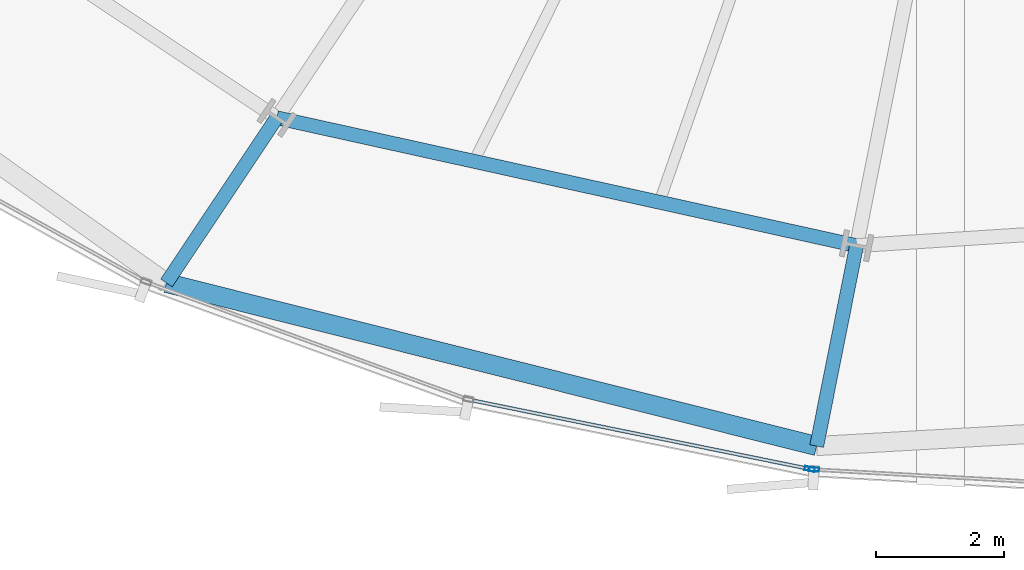
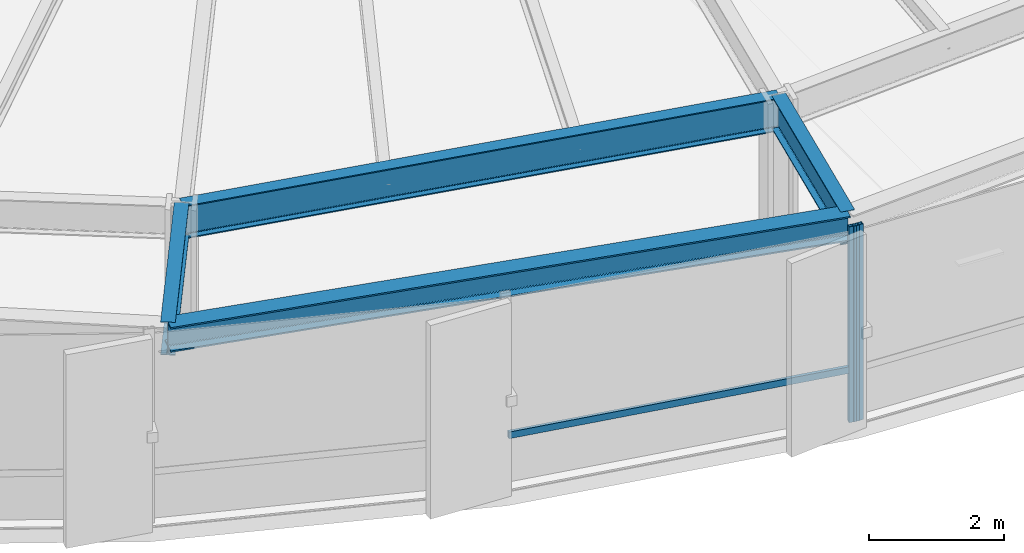
# One storey, part 4 of 39: 4 beams, 3 members, 2 elements without a shape of their own.
"""IFC4 building model written with IfcOpenShell, lengths in metres."""

from ifc_helpers import new_model, si_unit, direction, frame, origin, origin_2d, place, context, subcontext, project, spatial, hollow_rectangle, i_section, extrude, source, transform, mapped, material, layer, layer_set, material_profile, profile_set, type_object, element, aggregate, save


model = new_model("IFC4")

# Units and contexts
model_context = context("Model", 3, precision=1e-05, world=origin(), true_north=direction((0.0, 1.0)))
body_context = subcontext(model_context, "Body", "Model", "MODEL_VIEW")
ifc_project = project(units=[si_unit("LENGTHUNIT", "METRE"), si_unit("AREAUNIT", "SQUARE_METRE"), si_unit("VOLUMEUNIT", "CUBIC_METRE"), si_unit("PLANEANGLEUNIT", "RADIAN"), si_unit("MASSUNIT", "GRAM", prefix="KILO"), si_unit("THERMODYNAMICTEMPERATUREUNIT", "KELVIN")], contexts=[model_context])

# Site, building, storey
site_placement = place(None, origin())
site = spatial("IfcSite", under=ifc_project, at=site_placement, CompositionType="ELEMENT")
building_placement = place(site_placement, origin())
building = spatial("IfcBuilding", under=site, at=building_placement, Name="Kethvar Cultural Tower", CompositionType="ELEMENT")
storey_placement = place(building_placement, frame((0.0, 0.0, 33.39990234375)))
storey = spatial("IfcBuildingStorey", under=building, at=storey_placement, Name="L07", CompositionType="ELEMENT", Elevation=33.39990234375)

# Beams
ifc_material_1 = material(Name="Steel S355J2", Category="steel")
ifc_material_profile_1 = material_profile(ifc_material_1, i_section(OverallWidth=0.219970703125, OverallDepth=0.60009765625, WebThickness=0.011962890625, FlangeThickness=0.01904296875, FilletRadius=0.02392578125, at=origin_2d()), Name="Steel S355J2 — IPE600")
ifc_profile_set_1 = profile_set([ifc_material_profile_1], Name="Steel S355J2 — IPE600")
beam_type_1 = type_object("IfcBeamType", Name="BM-IPE600", PredefinedType="BEAM", material=ifc_profile_set_1)
shared_shape_1 = source(origin(), body_context, "Body", "SweptSolid", [
    extrude(i_section(OverallWidth=0.219970703125, OverallDepth=0.60009765625, WebThickness=0.011962890625, FlangeThickness=0.01904296875, FilletRadius=0.02392578125, at=origin_2d()), origin(), (0.0, 0.0, 1.0), 3.2001953125),
])
beam_1_placement = place(storey_placement, frame((42.38330078125, 5.59619140625, 3.248046875), z_axis=(-0.195074368086, -0.980788453702, 0.0), x_axis=(0.980788453702, -0.195074368086, 0.0)))
element("IfcBeam", 1, at=beam_1_placement, inside=storey, type_object=beam_type_1, Name="L07 Perimeter Cantilever Beam RC-12", PredefinedType="BEAM", context=body_context, shape_type="MappedRepresentation", body=[
    mapped(shared_shape_1, transform((0.0, 0.0, 0.0), scale=1.0)),
])
shared_shape_2 = source(origin(), body_context, "Body", "SweptSolid", [
    extrude(i_section(OverallWidth=0.219970703125, OverallDepth=0.60009765625, WebThickness=0.011962890625, FlangeThickness=0.01904296875, FilletRadius=0.02392578125, at=origin_2d()), origin(), (0.0, 0.0, 1.0), 9.299560546875),
])
beam_2_placement = place(storey_placement, frame((33.302001953125, 7.598876953125, 3.248046875), z_axis=(0.976536034872, -0.21535406334, 0.0), x_axis=(0.21535406334, 0.976536034872, 0.0)))
element("IfcBeam", 2, at=beam_2_placement, inside=storey, type_object=beam_type_1, Name="L07 Column Ring Tie Beam CR-11", PredefinedType="BEAM", context=body_context, shape_type="MappedRepresentation", body=[
    mapped(shared_shape_2, transform((0.0, 0.0, 0.0), scale=1.0)),
])
shared_shape_3 = source(origin(), body_context, "Body", "SweptSolid", [
    extrude(i_section(OverallWidth=0.219970703125, OverallDepth=0.60009765625, WebThickness=0.011962890625, FlangeThickness=0.01904296875, FilletRadius=0.02392578125, at=origin_2d()), origin(), (0.0, 0.0, 1.0), 3.111572265625),
])
beam_3_placement = place(storey_placement, frame((33.302001953125, 7.598876953125, 3.248046875), z_axis=(-0.55553285542, -0.831494586001, 0.0), x_axis=(0.831494586001, -0.55553285542, 0.0)))
element("IfcBeam", 3, at=beam_3_placement, inside=storey, type_object=beam_type_1, Name="L07 Perimeter Cantilever Beam RC-11", PredefinedType="BEAM", context=body_context, shape_type="MappedRepresentation", body=[
    mapped(shared_shape_3, transform((0.0, 0.0, 0.0), scale=1.0)),
])
ifc_material_profile_2 = material_profile(ifc_material_1, i_section(OverallWidth=0.300048828125, OverallDepth=0.449951171875, WebThickness=0.013916015625, FlangeThickness=0.02587890625, FilletRadius=0.027099609375, at=origin_2d()), Name="Steel S355J2 — HEB450")
ifc_profile_set_2 = profile_set([ifc_material_profile_2], Name="Steel S355J2 — HEB450")
beam_type_2 = type_object("IfcBeamType", Name="BM-SP450", PredefinedType="SPANDREL", material=ifc_profile_set_2)
shared_shape_4 = source(origin(), body_context, "Body", "SweptSolid", [
    extrude(i_section(OverallWidth=0.300048828125, OverallDepth=0.449951171875, WebThickness=0.013916015625, FlangeThickness=0.02587890625, FilletRadius=0.027099609375, at=origin_2d()), origin(), (0.0, 0.0, 1.0), 10.5009765625),
])
beam_4_placement = place(storey_placement, frame((31.573486328125, 5.01171875, 3.322998046875), z_axis=(0.96996719274, -0.243235780691, 0.0), x_axis=(0.243235780691, 0.96996719274, 0.0)))
element("IfcBeam", 4, at=beam_4_placement, inside=storey, type_object=beam_type_2, Name="L07 Perimeter Spandrel Beam SP-11", PredefinedType="SPANDREL", context=body_context, shape_type="MappedRepresentation", body=[
    mapped(shared_shape_4, transform((0.0, 0.0, 0.0), scale=1.0)),
])

# Curtain wall, member
ifc_material_2 = material(Name="Aluminium 6063-T6", Category="aluminium")
ifc_layer = layer(ifc_material_2, 0.179931640625, Name="Aluminium 6063-T6", Category="aluminium")
ifc_layer_set = layer_set([ifc_layer], Name="Aluminium 6063-T6 (180 mm)")
curtain_wall_type = type_object("IfcCurtainWallType", Name="CW-SYS-02-Z1", PredefinedType="NOTDEFINED", material=ifc_layer_set)
curtain_wall_1_placement = place(storey_placement, origin())
curtain_wall_1 = element("IfcCurtainWall", 5, at=curtain_wall_1_placement, inside=storey, type_object=curtain_wall_type, Name="L07 Curtain Wall Run 05", PredefinedType="NOTDEFINED")
ifc_material_profile_3 = material_profile(ifc_material_2, hollow_rectangle(XDim=0.06494140625, YDim=0.159912109375, WallThickness=0.0048828125, at=origin_2d()), Name="Aluminium 6063-T6 — RHS160x65x5")
ifc_profile_set_3 = profile_set([ifc_material_profile_3], Name="Aluminium 6063-T6 — RHS160x65x5")
member_type_1 = type_object("IfcMemberType", Name="CW-SYS-02-Z1-MUL", PredefinedType="MULLION", material=ifc_profile_set_3)
shared_shape_5 = source(origin(), body_context, "Body", "SweptSolid", [
    extrude(hollow_rectangle(XDim=0.06494140625, YDim=0.159912109375, WallThickness=0.0048828125, at=origin_2d()), origin(), (0.0, 0.0, 1.0), 3.550048828125),
])
member_1_placement = place(storey_placement, frame((41.650146484375, 2.09814453125, 0.0), z_axis=(0.0, 0.0, 1.0), x_axis=(0.199179798706, 0.979962962457, 0.0)))
member_1 = element("IfcMember", 6, at=member_1_placement, type_object=member_type_1, Name="CW-L07-R05 Mullion 7", PredefinedType="MULLION", context=body_context, shape_type="MappedRepresentation", body=[
    mapped(shared_shape_5, transform((0.0, 0.0, 0.0), scale=1.0)),
])

curtain_wall_2_placement = place(storey_placement, origin())
curtain_wall_2 = element("IfcCurtainWall", 7, at=curtain_wall_2_placement, inside=storey, type_object=curtain_wall_type, Name="L07 Curtain Wall Run 06", PredefinedType="NOTDEFINED")
member_2_placement = place(storey_placement, frame((41.716552734375, 2.089599609375, 0.0), z_axis=(0.0, 0.0, 1.0), x_axis=(0.055856357117, 0.998438815036, 0.0)))
member_2 = element("IfcMember", 8, at=member_2_placement, type_object=member_type_1, Name="CW-L07-R06 Mullion 1", PredefinedType="MULLION", context=body_context, shape_type="MappedRepresentation", body=[
    mapped(shared_shape_5, transform((0.0, 0.0, 0.0), scale=1.0)),
])
aggregate(curtain_wall_2, [member_2])

# Member
ifc_material_profile_4 = material_profile(ifc_material_2, hollow_rectangle(XDim=0.054931640625, YDim=0.1201171875, WallThickness=0.00390625, at=origin_2d()), Name="Aluminium 6063-T6 — RHS120x55x4")
ifc_profile_set_4 = profile_set([ifc_material_profile_4], Name="Aluminium 6063-T6 — RHS120x55x4")
member_type_2 = type_object("IfcMemberType", Name="CW-SYS-02-Z1-TRN", PredefinedType="USERDEFINED", material=ifc_profile_set_4)
shared_shape_6 = source(origin(), body_context, "Body", "SweptSolid", [
    extrude(hollow_rectangle(XDim=0.054931640625, YDim=0.1201171875, WallThickness=0.00390625, at=origin_2d()), origin(), (0.0, 0.0, 1.0), 5.4033203125),
])
member_3_placement = place(storey_placement, frame((36.3505859375, 3.17529296875, 0.9501953125), z_axis=(0.979965967408, -0.199165013801, 0.0), x_axis=(0.199165013801, 0.979965967408, 0.0)))
member_3 = element("IfcMember", 9, at=member_3_placement, type_object=member_type_2, Name="CW-L07-R05 Transom 6", ObjectType="TRANSOM", PredefinedType="USERDEFINED", context=body_context, shape_type="MappedRepresentation", body=[
    mapped(shared_shape_6, transform((0.0, 0.0, 0.0), scale=1.0)),
])

aggregate(curtain_wall_1, [member_1, member_3])

save(model, "model.ifc")
